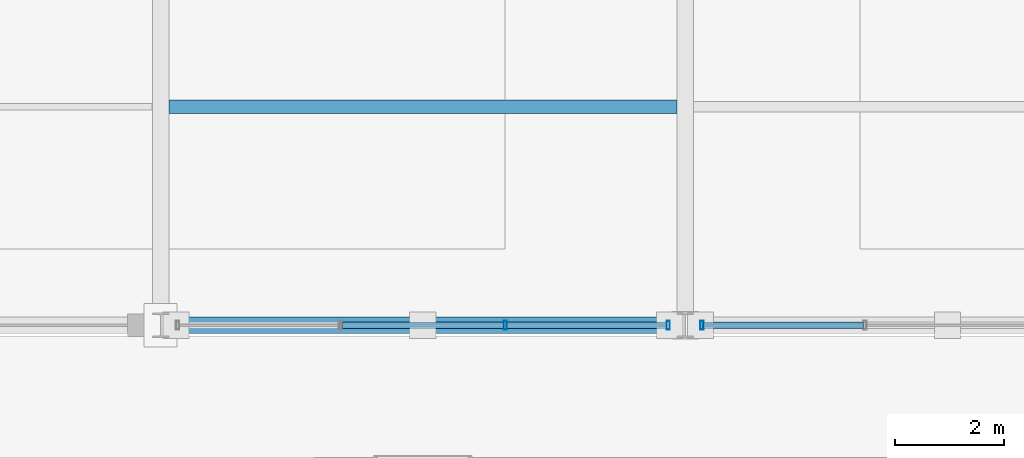
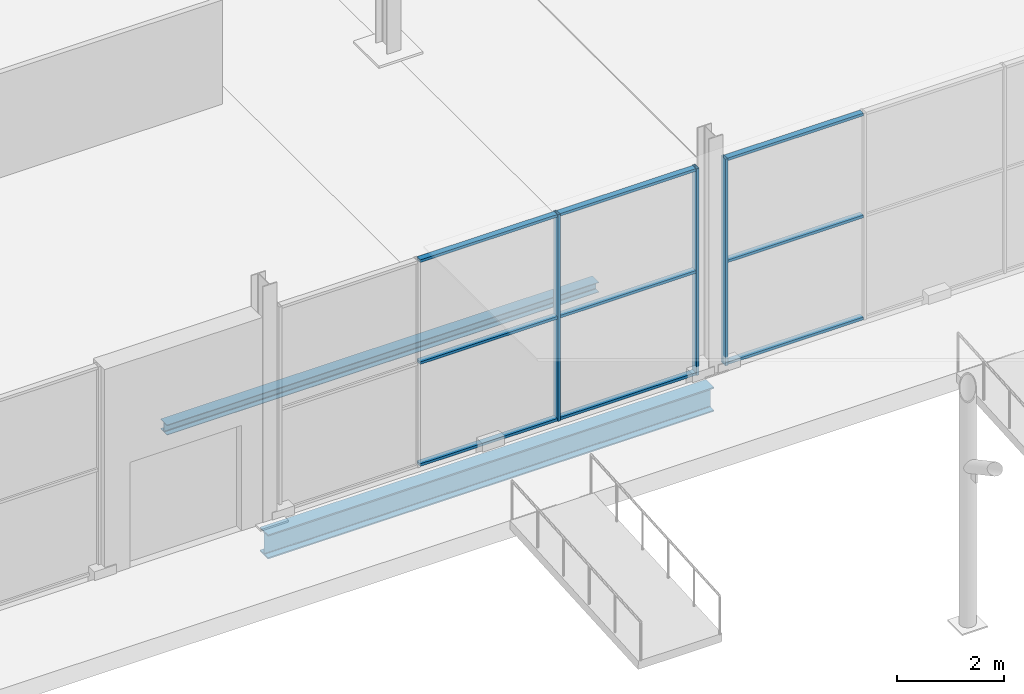
# One storey, part 33 of 196: 12 members, 2 beams, 2 elements without a shape of their own.
"""IFC4 building model written with IfcOpenShell, lengths in metres."""

from ifc_helpers import new_model, si_unit, direction, frame, origin, origin_2d, place, context, subcontext, project, spatial, hollow_rectangle, i_section, extrude, material, material_profile, profile_set, type_object, element, aggregate, save


model = new_model("IFC4")

# Units and contexts
model_context = context("Model", 3, precision=1e-05, world=origin(), true_north=direction((0.0, 1.0)))
body_context = subcontext(model_context, "Body", "Model", "MODEL_VIEW")
ifc_project = project(units=[si_unit("LENGTHUNIT", "METRE"), si_unit("AREAUNIT", "SQUARE_METRE"), si_unit("VOLUMEUNIT", "CUBIC_METRE"), si_unit("PLANEANGLEUNIT", "RADIAN"), si_unit("MASSUNIT", "GRAM", prefix="KILO")], contexts=[model_context])

# Site, building, storey
site_placement = place(None, origin())
site = spatial("IfcSite", under=ifc_project, at=site_placement, CompositionType="ELEMENT")
building_placement = place(site_placement, origin())
building = spatial("IfcBuilding", under=site, at=building_placement, Name="Merenkruunu Market Hall", CompositionType="ELEMENT")
storey_placement = place(building_placement, origin())
storey = spatial("IfcBuildingStorey", under=building, at=storey_placement, Name="L00", CompositionType="ELEMENT", Elevation=0.0)

# Curtain wall, members
ifc_material_1 = material(Name="Powder-coated aluminium", Category="aluminium")
curtain_wall_type = type_object("IfcCurtainWallType", Name="Glazed Curtain Wall CW01", PredefinedType="USERDEFINED", material=ifc_material_1)
curtain_wall_1_placement = place(storey_placement, origin())
curtain_wall_1 = element("IfcCurtainWall", 1, at=curtain_wall_1_placement, inside=storey, type_object=curtain_wall_type, Name="CW-L00-CWM01-025", ObjectType="GLAZED_FACADE", PredefinedType="USERDEFINED")
ifc_material_profile_1 = material_profile(ifc_material_1, hollow_rectangle(XDim=0.06005859375, YDim=0.159912109375, WallThickness=0.00390625, at=origin_2d()), Name="ALU 60x160x4")
ifc_profile_set_1 = profile_set([ifc_material_profile_1], Name="Powder-coated aluminium")
member_type_1 = type_object("IfcMemberType", Name="Curtain Wall Mullion CWM01", PredefinedType="MULLION", material=ifc_profile_set_1)
member_1_placement = place(storey_placement, frame((28.489990234375, 15.60009765625, 0.0), z_axis=(0.0, 0.0, 1.0), x_axis=(-1.0, 0.0, 0.0)))
member_1 = element("IfcMember", 2, at=member_1_placement, type_object=member_type_1, Name="CW01 mullion 1", PredefinedType="MULLION", context=body_context, shape_type="SweptSolid", body=[
    extrude(hollow_rectangle(XDim=0.06005859375, YDim=0.159912109375, WallThickness=0.00390625, at=origin_2d()), origin(), (0.0, 0.0, 1.0), 4.699951171875),
])
member_2_placement = place(storey_placement, frame((25.506591796875, 15.60009765625, 0.0), z_axis=(0.0, 0.0, 1.0), x_axis=(-1.0, 0.0, 0.0)))
member_2 = element("IfcMember", 3, at=member_2_placement, type_object=member_type_1, Name="CW01 mullion 2", PredefinedType="MULLION", context=body_context, shape_type="SweptSolid", body=[
    extrude(hollow_rectangle(XDim=0.06005859375, YDim=0.159912109375, WallThickness=0.00390625, at=origin_2d()), origin(), (0.0, 0.0, 1.0), 4.699951171875),
])

# Curtain wall, member
curtain_wall_2_placement = place(storey_placement, origin())
curtain_wall_2 = element("IfcCurtainWall", 4, at=curtain_wall_2_placement, inside=storey, type_object=curtain_wall_type, Name="CW-L00-CWM01-028", ObjectType="GLAZED_FACADE", PredefinedType="USERDEFINED")
member_3_placement = place(storey_placement, frame((29.110107421875, 15.60009765625, 0.0), z_axis=(0.0, 0.0, 1.0), x_axis=(-1.0, 0.0, 0.0)))
member_3 = element("IfcMember", 5, at=member_3_placement, type_object=member_type_1, Name="CW01 mullion 4", PredefinedType="MULLION", context=body_context, shape_type="SweptSolid", body=[
    extrude(hollow_rectangle(XDim=0.06005859375, YDim=0.159912109375, WallThickness=0.00390625, at=origin_2d()), origin(), (0.0, 0.0, 1.0), 4.699951171875),
])

# Member
ifc_material_profile_2 = material_profile(ifc_material_1, hollow_rectangle(XDim=0.06005859375, YDim=0.125, WallThickness=0.00390625, at=origin_2d()), Name="ALU 60x125x4")
ifc_profile_set_2 = profile_set([ifc_material_profile_2], Name="Powder-coated aluminium")
member_type_2 = type_object("IfcMemberType", Name="Curtain Wall Transom CWT01", PredefinedType="USERDEFINED", material=ifc_profile_set_2)
member_4_placement = place(storey_placement, frame((28.4599609375, 15.60009765625, 0.030029296875), z_axis=(-1.0, 0.0, 0.0), x_axis=(0.0, 0.0, 1.0)))
member_4 = element("IfcMember", 6, at=member_4_placement, type_object=member_type_2, Name="CW01 transom 1.1", ObjectType="TRANSOM", PredefinedType="USERDEFINED", context=body_context, shape_type="SweptSolid", body=[
    extrude(hollow_rectangle(XDim=0.06005859375, YDim=0.125, WallThickness=0.00390625, at=origin_2d()), origin(), (0.0, 0.0, 1.0), 2.92333984375),
])

member_5_placement = place(storey_placement, frame((28.4599609375, 15.60009765625, 2.35009765625), z_axis=(-1.0, 0.0, 0.0), x_axis=(0.0, 0.0, 1.0)))
member_5 = element("IfcMember", 7, at=member_5_placement, type_object=member_type_2, Name="CW01 transom 1.2", ObjectType="TRANSOM", PredefinedType="USERDEFINED", context=body_context, shape_type="SweptSolid", body=[
    extrude(hollow_rectangle(XDim=0.06005859375, YDim=0.125, WallThickness=0.00390625, at=origin_2d()), origin(), (0.0, 0.0, 1.0), 2.92333984375),
])

member_6_placement = place(storey_placement, frame((28.4599609375, 15.60009765625, 4.669921875), z_axis=(-1.0, 0.0, 0.0), x_axis=(0.0, 0.0, 1.0)))
member_6 = element("IfcMember", 8, at=member_6_placement, type_object=member_type_2, Name="CW01 transom 1.3", ObjectType="TRANSOM", PredefinedType="USERDEFINED", context=body_context, shape_type="SweptSolid", body=[
    extrude(hollow_rectangle(XDim=0.06005859375, YDim=0.125, WallThickness=0.00390625, at=origin_2d()), origin(), (0.0, 0.0, 1.0), 2.92333984375),
])

member_7_placement = place(storey_placement, frame((25.4765625, 15.60009765625, 0.030029296875), z_axis=(-1.0, 0.0, 0.0), x_axis=(0.0, 0.0, 1.0)))
member_7 = element("IfcMember", 9, at=member_7_placement, type_object=member_type_2, Name="CW01 transom 2.1", ObjectType="TRANSOM", PredefinedType="USERDEFINED", context=body_context, shape_type="SweptSolid", body=[
    extrude(hollow_rectangle(XDim=0.06005859375, YDim=0.125, WallThickness=0.00390625, at=origin_2d()), origin(), (0.0, 0.0, 1.0), 2.953125),
])

member_8_placement = place(storey_placement, frame((25.4765625, 15.60009765625, 2.35009765625), z_axis=(-1.0, 0.0, 0.0), x_axis=(0.0, 0.0, 1.0)))
member_8 = element("IfcMember", 10, at=member_8_placement, type_object=member_type_2, Name="CW01 transom 2.2", ObjectType="TRANSOM", PredefinedType="USERDEFINED", context=body_context, shape_type="SweptSolid", body=[
    extrude(hollow_rectangle(XDim=0.06005859375, YDim=0.125, WallThickness=0.00390625, at=origin_2d()), origin(), (0.0, 0.0, 1.0), 2.953125),
])

member_9_placement = place(storey_placement, frame((25.4765625, 15.60009765625, 4.669921875), z_axis=(-1.0, 0.0, 0.0), x_axis=(0.0, 0.0, 1.0)))
member_9 = element("IfcMember", 11, at=member_9_placement, type_object=member_type_2, Name="CW01 transom 2.3", ObjectType="TRANSOM", PredefinedType="USERDEFINED", context=body_context, shape_type="SweptSolid", body=[
    extrude(hollow_rectangle(XDim=0.06005859375, YDim=0.125, WallThickness=0.00390625, at=origin_2d()), origin(), (0.0, 0.0, 1.0), 2.953125),
])

aggregate(curtain_wall_1, [member_1, member_2, member_4, member_5, member_6, member_7, member_8, member_9])

member_10_placement = place(storey_placement, frame((32.063232421875, 15.60009765625, 0.030029296875), z_axis=(-1.0, 0.0, 0.0), x_axis=(0.0, 0.0, 1.0)))
member_10 = element("IfcMember", 12, at=member_10_placement, type_object=member_type_2, Name="CW01 transom 3.1", ObjectType="TRANSOM", PredefinedType="USERDEFINED", context=body_context, shape_type="SweptSolid", body=[
    extrude(hollow_rectangle(XDim=0.06005859375, YDim=0.125, WallThickness=0.00390625, at=origin_2d()), origin(), (0.0, 0.0, 1.0), 2.92333984375),
])

member_11_placement = place(storey_placement, frame((32.063232421875, 15.60009765625, 2.35009765625), z_axis=(-1.0, 0.0, 0.0), x_axis=(0.0, 0.0, 1.0)))
member_11 = element("IfcMember", 13, at=member_11_placement, type_object=member_type_2, Name="CW01 transom 3.2", ObjectType="TRANSOM", PredefinedType="USERDEFINED", context=body_context, shape_type="SweptSolid", body=[
    extrude(hollow_rectangle(XDim=0.06005859375, YDim=0.125, WallThickness=0.00390625, at=origin_2d()), origin(), (0.0, 0.0, 1.0), 2.92333984375),
])

member_12_placement = place(storey_placement, frame((32.063232421875, 15.60009765625, 4.669921875), z_axis=(-1.0, 0.0, 0.0), x_axis=(0.0, 0.0, 1.0)))
member_12 = element("IfcMember", 14, at=member_12_placement, type_object=member_type_2, Name="CW01 transom 3.3", ObjectType="TRANSOM", PredefinedType="USERDEFINED", context=body_context, shape_type="SweptSolid", body=[
    extrude(hollow_rectangle(XDim=0.06005859375, YDim=0.125, WallThickness=0.00390625, at=origin_2d()), origin(), (0.0, 0.0, 1.0), 2.92333984375),
])

aggregate(curtain_wall_2, [member_3, member_10, member_11, member_12])

# Beams
ifc_material_2 = material(Name="Steel S355J2", Category="steel")
ifc_material_profile_3 = material_profile(ifc_material_2, i_section(OverallWidth=0.300048828125, OverallDepth=0.550048828125, WebThickness=0.014892578125, FlangeThickness=0.029052734375, FilletRadius=0.027099609375, at=origin_2d()), Name="HEB 550")
ifc_profile_set_3 = profile_set([ifc_material_profile_3], Name="Steel S355J2")
beam_type_1 = type_object("IfcBeamType", Name="Primary Floor Girder B02", PredefinedType="BEAM", material=ifc_profile_set_3)
beam_1_placement = place(storey_placement, frame((19.199951171875, 15.60009765625, -0.614990234375), z_axis=(1.0, 0.0, 0.0), x_axis=(0.0, 1.0, 0.0)))
element("IfcBeam", 15, at=beam_1_placement, inside=storey, type_object=beam_type_1, Name="BM-L00-B02-0011", PredefinedType="BEAM", context=body_context, shape_type="SweptSolid", body=[
    extrude(i_section(OverallWidth=0.300048828125, OverallDepth=0.550048828125, WebThickness=0.014892578125, FlangeThickness=0.029052734375, FilletRadius=0.027099609375, at=origin_2d()), origin(), (0.0, 0.0, 1.0), 9.60009765625),
])
ifc_material_profile_4 = material_profile(ifc_material_2, i_section(OverallWidth=0.239990234375, OverallDepth=0.22998046875, WebThickness=0.007568359375, FlangeThickness=0.011962890625, FilletRadius=0.02099609375, at=origin_2d()), Name="HEA 240")
ifc_profile_set_4 = profile_set([ifc_material_profile_4], Name="Steel S355J2")
beam_type_2 = type_object("IfcBeamType", Name="Secondary Floor Joist J06", PredefinedType="JOIST", material=ifc_profile_set_4)
beam_2_placement = place(storey_placement, frame((19.35302734375, 19.60009765625, -0.455078125), z_axis=(1.0, 0.0, 0.0), x_axis=(0.0, 1.0, 0.0)))
element("IfcBeam", 16, at=beam_2_placement, inside=storey, type_object=beam_type_2, Name="BM-L00-J06-0296", PredefinedType="JOIST", context=body_context, shape_type="SweptSolid", body=[
    extrude(i_section(OverallWidth=0.239990234375, OverallDepth=0.22998046875, WebThickness=0.007568359375, FlangeThickness=0.011962890625, FilletRadius=0.02099609375, at=origin_2d()), origin(), (0.0, 0.0, 1.0), 9.2939453125),
])

save(model, "model.ifc")
